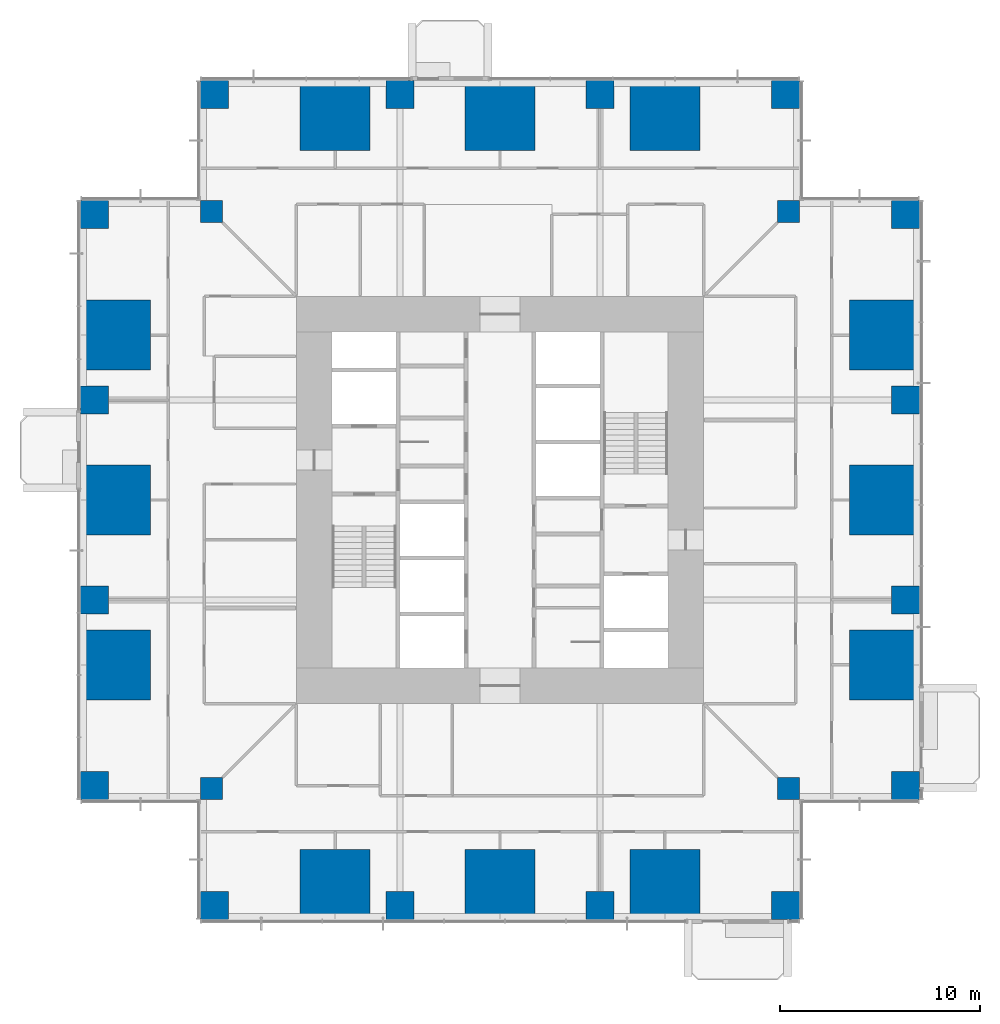
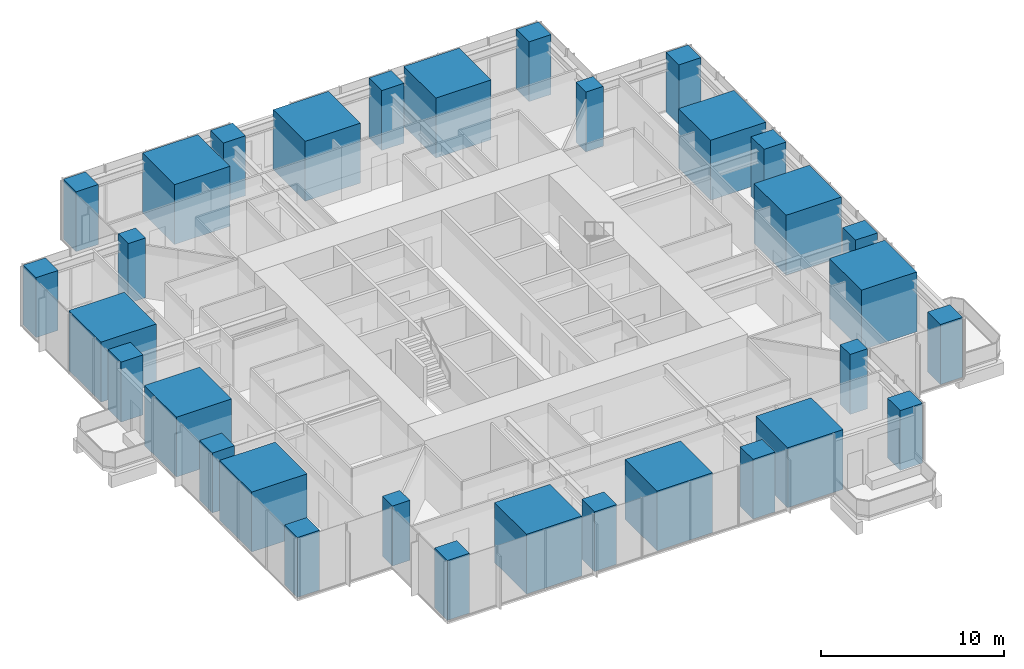
# One storey, part 1 of 17: 32 columns.
"""IFC4 building model written with IfcOpenShell, lengths in metres."""

from ifc_helpers import new_model, si_unit, direction, frame, origin, origin_2d, place, context, subcontext, project, spatial, rectangle, extrude, material, material_profile, profile_set, type_object, element, save


model = new_model("IFC4")

# Units and contexts
model_context = context("Model", 3, precision=1e-05, world=origin(), true_north=direction((0.0, 1.0)))
body_context = subcontext(model_context, "Body", "Model", "MODEL_VIEW")
ifc_project = project(units=[si_unit("LENGTHUNIT", "METRE"), si_unit("AREAUNIT", "SQUARE_METRE"), si_unit("VOLUMEUNIT", "CUBIC_METRE"), si_unit("PLANEANGLEUNIT", "RADIAN"), si_unit("MASSUNIT", "GRAM", prefix="KILO")], contexts=[model_context])

# Site, building, storey
site_placement = place(None, origin())
site = spatial("IfcSite", under=ifc_project, at=site_placement, CompositionType="ELEMENT")
building_placement = place(site_placement, origin())
building = spatial("IfcBuilding", under=site, at=building_placement, Name="Svetlomir Tower", CompositionType="ELEMENT")
storey_placement = place(building_placement, frame((0.0, 0.0, 82.5)))
storey = spatial("IfcBuildingStorey", under=building, at=storey_placement, Name="L19", CompositionType="ELEMENT", Elevation=82.5)

# Columns
ifc_material_1 = material(Name="Concrete C60/75", Category="concrete")
ifc_material_profile_1 = material_profile(ifc_material_1, rectangle(XDim=1.10009765625, YDim=1.10009765625, at=origin_2d()), Name="RC 1100x1100")
ifc_profile_set_1 = profile_set([ifc_material_profile_1], Name="Concrete C60/75")
column_type_1 = type_object("IfcColumnType", Name="COLUMN RC 1100x1100", PredefinedType="COLUMN", material=ifc_profile_set_1)
for number, where, z_axis, x_axis, name in (
    (1, (6.550048828125, 6.550048828125, 0.0), (0.0, 0.0, 1.0), (1.0, 0.0, 0.0), "Column 6/6 L19"),
    (2, (35.449951171875, 6.550048828125, 0.0), (0.0, 0.0, 1.0), (1.0, 0.0, 0.0), "Column 36/6 L19"),
    (3, (6.550048828125, 35.449951171875, 0.0), (0.0, 0.0, 1.0), (1.0, 0.0, 0.0), "Column 6/36 L19"),
    (4, (35.449951171875, 35.449951171875, 0.0), (0.0, 0.0, 1.0), (1.0, 0.0, 0.0), "Column 36/36 L19"),
):
    element("IfcColumn", number, at=place(storey_placement, frame(where, z_axis=z_axis, x_axis=x_axis)), inside=storey, type_object=column_type_1, Name=name, PredefinedType="COLUMN", context=body_context, shape_type="SweptSolid", body=[
        extrude(rectangle(XDim=1.10009765625, YDim=1.10009765625, at=origin_2d()), origin(), (0.0, 0.0, 1.0), 4.0),
    ])
ifc_material_2 = material(Name="Concrete C60/75", Category="concrete")
ifc_material_profile_2 = material_profile(ifc_material_2, rectangle(XDim=1.39990234375, YDim=1.39990234375, at=origin_2d()), Name="RC 1400x1400")
ifc_profile_set_2 = profile_set([ifc_material_profile_2], Name="Concrete C60/75")
column_type_2 = type_object("IfcColumnType", Name="COLUMN RC 1400x1400", PredefinedType="COLUMN", material=ifc_profile_set_2)
for number, where, z_axis, x_axis, name in (
    (5, (6.699951171875, 0.699951171875, 0.0), (0.0, 0.0, 1.0), (1.0, 0.0, 0.0), "Column 6/0 L19"),
    (6, (16.0, 0.699951171875, 0.0), (0.0, 0.0, 1.0), (1.0, 0.0, 0.0), "Column 16/0 L19"),
    (7, (26.0, 0.699951171875, 0.0), (0.0, 0.0, 1.0), (1.0, 0.0, 0.0), "Column 26/0 L19"),
    (8, (35.300048828125, 0.699951171875, 0.0), (0.0, 0.0, 1.0), (1.0, 0.0, 0.0), "Column 36/0 L19"),
    (9, (0.699951171875, 6.699951171875, 0.0), (0.0, 0.0, 1.0), (1.0, 0.0, 0.0), "Column 0/6 L19"),
    (10, (41.300048828125, 6.699951171875, 0.0), (0.0, 0.0, 1.0), (1.0, 0.0, 0.0), "Column 42/6 L19"),
    (11, (0.699951171875, 16.0, 0.0), (0.0, 0.0, 1.0), (1.0, 0.0, 0.0), "Column 0/16 L19"),
    (12, (41.300048828125, 16.0, 0.0), (0.0, 0.0, 1.0), (1.0, 0.0, 0.0), "Column 42/16 L19"),
    (13, (0.699951171875, 26.0, 0.0), (0.0, 0.0, 1.0), (1.0, 0.0, 0.0), "Column 0/26 L19"),
    (14, (41.300048828125, 26.0, 0.0), (0.0, 0.0, 1.0), (1.0, 0.0, 0.0), "Column 42/26 L19"),
    (15, (0.699951171875, 35.300048828125, 0.0), (0.0, 0.0, 1.0), (1.0, 0.0, 0.0), "Column 0/36 L19"),
    (16, (41.300048828125, 35.300048828125, 0.0), (0.0, 0.0, 1.0), (1.0, 0.0, 0.0), "Column 42/36 L19"),
    (17, (6.699951171875, 41.300048828125, 0.0), (0.0, 0.0, 1.0), (1.0, 0.0, 0.0), "Column 6/42 L19"),
    (18, (16.0, 41.300048828125, 0.0), (0.0, 0.0, 1.0), (1.0, 0.0, 0.0), "Column 16/42 L19"),
    (19, (26.0, 41.300048828125, 0.0), (0.0, 0.0, 1.0), (1.0, 0.0, 0.0), "Column 26/42 L19"),
    (20, (35.300048828125, 41.300048828125, 0.0), (0.0, 0.0, 1.0), (1.0, 0.0, 0.0), "Column 36/42 L19"),
):
    element("IfcColumn", number, at=place(storey_placement, frame(where, z_axis=z_axis, x_axis=x_axis)), inside=storey, type_object=column_type_2, Name=name, PredefinedType="COLUMN", context=body_context, shape_type="SweptSolid", body=[
        extrude(rectangle(XDim=1.39990234375, YDim=1.39990234375, at=origin_2d()), origin(), (0.0, 0.0, 1.0), 4.0),
    ])
ifc_material_3 = material(Name="Concrete C60/75", Category="concrete")
ifc_material_profile_3 = material_profile(ifc_material_3, rectangle(XDim=3.5, YDim=3.5, at=origin_2d()), Name="RC 3500x3500")
ifc_profile_set_3 = profile_set([ifc_material_profile_3], Name="Concrete C60/75")
column_type_3 = type_object("IfcColumnType", Name="COLUMN RC 3500x3500", PredefinedType="COLUMN", material=ifc_profile_set_3)
for number, where, z_axis, x_axis, name in (
    (21, (12.75, 1.75, 0.0), (0.0, 0.0, 1.0), (1.0, 0.0, 0.0), "Column 11/0 L19"),
    (22, (21.0, 1.75, 0.0), (0.0, 0.0, 1.0), (1.0, 0.0, 0.0), "Column 21/0 L19"),
    (23, (29.25, 1.75, 0.0), (0.0, 0.0, 1.0), (1.0, 0.0, 0.0), "Column 31/0 L19"),
    (24, (1.75, 12.75, 0.0), (0.0, 0.0, 1.0), (1.0, 0.0, 0.0), "Column 0/11 L19"),
    (25, (40.25, 12.75, 0.0), (0.0, 0.0, 1.0), (1.0, 0.0, 0.0), "Column 42/11 L19"),
    (26, (1.75, 21.0, 0.0), (0.0, 0.0, 1.0), (1.0, 0.0, 0.0), "Column 0/21 L19"),
    (27, (40.25, 21.0, 0.0), (0.0, 0.0, 1.0), (1.0, 0.0, 0.0), "Column 42/21 L19"),
    (28, (1.75, 29.25, 0.0), (0.0, 0.0, 1.0), (1.0, 0.0, 0.0), "Column 0/31 L19"),
    (29, (40.25, 29.25, 0.0), (0.0, 0.0, 1.0), (1.0, 0.0, 0.0), "Column 42/31 L19"),
    (30, (12.75, 40.25, 0.0), (0.0, 0.0, 1.0), (1.0, 0.0, 0.0), "Column 11/42 L19"),
    (31, (21.0, 40.25, 0.0), (0.0, 0.0, 1.0), (1.0, 0.0, 0.0), "Column 21/42 L19"),
    (32, (29.25, 40.25, 0.0), (0.0, 0.0, 1.0), (1.0, 0.0, 0.0), "Column 31/42 L19"),
):
    element("IfcColumn", number, at=place(storey_placement, frame(where, z_axis=z_axis, x_axis=x_axis)), inside=storey, type_object=column_type_3, Name=name, PredefinedType="COLUMN", context=body_context, shape_type="SweptSolid", body=[
        extrude(rectangle(XDim=3.5, YDim=3.5, at=origin_2d()), origin(), (0.0, 0.0, 1.0), 4.0),
    ])

save(model, "model.ifc")
